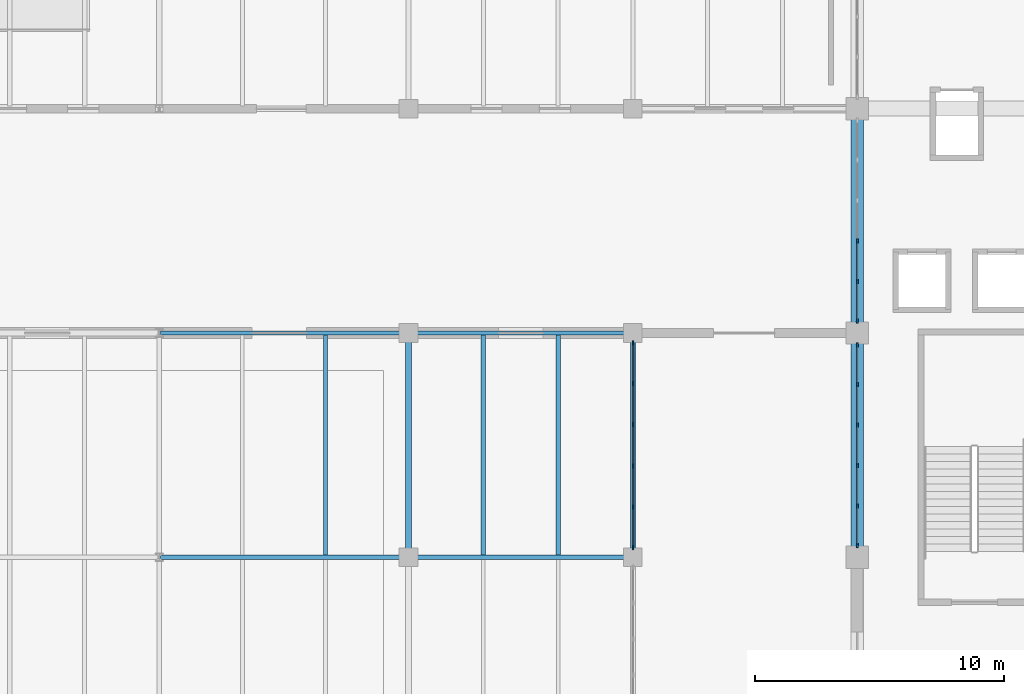
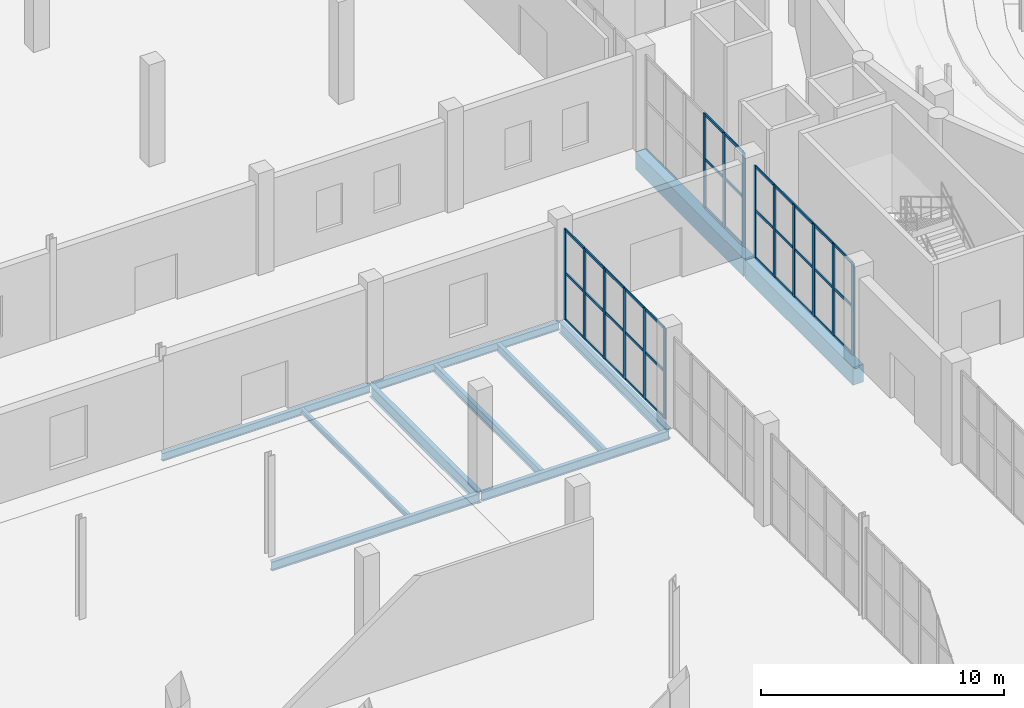
# One storey, part 36 of 103: 51 members, 11 beams, 3 elements without a shape of their own.
"""IFC4 building model written with IfcOpenShell, lengths in metres."""

import ifcopenshell
import ifcopenshell.guid

model = None  # the IFC model being written
_history = None  # IfcOwnerHistory: only IFC2X3 demands one
_inside = {}  # id of a spatial element -> (the spatial element, [elements in it])
_under = {}  # id of a project, library or spatial element -> (it, [spatial elements below it])
_declared = {}  # id of a project -> (the project, [libraries it declares])
_typed = {}  # id of a type object -> (the type object, [elements of that type])
_made_of = {}  # id of a material, layer set ... -> (it, [elements and type objects made of it])


def new_model(schema):
    """Start an empty IFC model of exactly this schema.

    Asked for "IFC4X3", IfcOpenShell would pick the latest addendum, in which some entities
    have other attributes; the version numbers below select the first issue.
    IFC2X3 requires an IfcOwnerHistory on every rooted entity: one is made here for all.
    """
    global model, _history
    if schema == "IFC4X3":
        model = ifcopenshell.file(schema_version=(4, 3, 0, 0))
    else:
        model = ifcopenshell.file(schema=schema)
    _inside.clear()
    _under.clear()
    _declared.clear()
    _typed.clear()
    _made_of.clear()
    _history = None
    if model.schema == "IFC2X3":
        org = make("IfcOrganization", Name="unknown")
        user = make(
            "IfcPersonAndOrganization",
            ThePerson=make("IfcPerson", FamilyName="unknown"),
            TheOrganization=org,
        )
        app = make(
            "IfcApplication",
            ApplicationDeveloper=org,
            Version="unknown",
            ApplicationFullName="unknown",
            ApplicationIdentifier="unknown",
        )
        _history = make(
            "IfcOwnerHistory",
            OwningUser=user,
            OwningApplication=app,
            ChangeAction="ADDED",
            CreationDate=0,
        )
    return model


def make(cls, **values):
    """One entity of the class cls with the attributes given. An attribute that is None is left unset."""
    return model.create_entity(
        cls, **{name: value for name, value in values.items() if value is not None}
    )


def rooted(cls, **values):
    """An entity with a GlobalId (a new one), such as an element, a storey or a relation."""
    return make(cls, GlobalId=ifcopenshell.guid.new(), OwnerHistory=_history, **values)


def si_unit(unit_type, name, prefix=None):
    """IfcSIUnit, for example si_unit("LENGTHUNIT", "METRE", prefix="MILLI")."""
    return make("IfcSIUnit", UnitType=unit_type, Prefix=prefix, Name=name)


def assignment(units):
    """IfcUnitAssignment: the units of a project."""
    return None if units is None else make("IfcUnitAssignment", Units=units)


def point(xyz):
    """IfcCartesianPoint."""
    return None if xyz is None else make("IfcCartesianPoint", Coordinates=xyz)


def direction(xyz):
    """IfcDirection."""
    return None if xyz is None else make("IfcDirection", DirectionRatios=xyz)


def frame(location, z_axis=None, x_axis=None):
    """IfcAxis2Placement3D, a coordinate frame: its origin and axes. An axis left out is left unset."""
    return make(
        "IfcAxis2Placement3D",
        Location=point(location),
        Axis=direction(z_axis),
        RefDirection=direction(x_axis),
    )


def frame_2d(location, x_axis=None):
    """IfcAxis2Placement2D, a coordinate frame in the plane: its origin and x axis."""
    return make(
        "IfcAxis2Placement2D", Location=point(location), RefDirection=direction(x_axis)
    )


def origin():
    """The frame at (0, 0, 0) with its axes left unset."""
    return frame((0.0, 0.0, 0.0))


def origin_2d():
    """The frame at (0, 0) in the plane with its x axis left unset."""
    return frame_2d((0.0, 0.0))


def place(relative_to, where):
    """IfcLocalPlacement: puts the frame where relative to a parent placement (None: the world)."""
    return make(
        "IfcLocalPlacement", PlacementRelTo=relative_to, RelativePlacement=where
    )


def context(
    kind, dimensions, precision=None, world=None, true_north=None, identifier=None
):
    """IfcGeometricRepresentationContext, for example the 3D "Model" context."""
    return make(
        "IfcGeometricRepresentationContext",
        ContextIdentifier=identifier,
        ContextType=kind,
        CoordinateSpaceDimension=dimensions,
        Precision=precision,
        WorldCoordinateSystem=world,
        TrueNorth=true_north,
    )


def subcontext(parent, identifier, kind, view, scale=None):
    """IfcGeometricRepresentationSubContext, for example "Body" below "Model"."""
    return make(
        "IfcGeometricRepresentationSubContext",
        ContextIdentifier=identifier,
        ContextType=kind,
        ParentContext=parent,
        TargetScale=scale,
        TargetView=view,
    )


def project(units=None, contexts=None):
    """IfcProject with its units and contexts."""
    return rooted(
        "IfcProject",
        Name="project",
        RepresentationContexts=contexts,
        UnitsInContext=assignment(units),
    )


def spatial(cls, under=None, at=None, **own):
    """A site, building, storey or space (cls), placed at a placement, below another one or the project."""
    s = rooted(cls, ObjectPlacement=at, **own)
    if under is not None:
        _under.setdefault(under.id(), (under, []))[1].append(s)
    return s


def profile(cls, at=None, kind="AREA", **sizes):
    """A parametric profile (cls). Its sizes go by their IFC names, for example OverallWidth=200.0."""
    return make(cls, ProfileType=kind, Position=at, **sizes)


def rectangle(**sizes):
    """IfcRectangleProfileDef."""
    return profile("IfcRectangleProfileDef", **sizes)


def i_section(**sizes):
    """IfcIShapeProfileDef."""
    return profile("IfcIShapeProfileDef", **sizes)


def extrude(swept, where, along, depth):
    """IfcExtrudedAreaSolid: the profile swept, set in the frame where, extruded along a direction by depth."""
    return make(
        "IfcExtrudedAreaSolid",
        SweptArea=swept,
        Position=where,
        ExtrudedDirection=direction(along),
        Depth=depth,
    )


def shape(context_of_items, identifier, shape_type, items):
    """IfcShapeRepresentation: the items that make up one representation, for example the "Body"."""
    return make(
        "IfcShapeRepresentation",
        ContextOfItems=context_of_items,
        RepresentationIdentifier=identifier,
        RepresentationType=shape_type,
        Items=items,
    )


def material(Name=None, Category=None):
    """IfcMaterial."""
    return make("IfcMaterial", Name=Name, Category=Category)


def layer(
    of_material, thickness, ventilated=None, Name=None, Category=None, Priority=None
):
    """IfcMaterialLayer: one layer of a wall or slab, of a material (None: an air gap)."""
    return make(
        "IfcMaterialLayer",
        Material=of_material,
        LayerThickness=thickness,
        IsVentilated=ventilated,
        Name=Name,
        Category=Category,
        Priority=Priority,
    )


def layer_set(layers, Name=None):
    """IfcMaterialLayerSet."""
    return make("IfcMaterialLayerSet", MaterialLayers=layers, LayerSetName=Name)


def material_profile(
    of_material, cross_section, Name=None, Category=None, Priority=None
):
    """IfcMaterialProfile: a cross section and its material."""
    return make(
        "IfcMaterialProfile",
        Name=Name,
        Material=of_material,
        Profile=cross_section,
        Priority=Priority,
        Category=Category,
    )


def profile_set(profiles, Name=None, composite=None):
    """IfcMaterialProfileSet."""
    return make(
        "IfcMaterialProfileSet",
        Name=Name,
        MaterialProfiles=profiles,
        CompositeProfile=composite,
    )


def made_of(thing, what):
    """Note that an element or type object is made of a material, layer set ...; save() writes the relation."""
    if what is not None:
        _made_of.setdefault(what.id(), (what, []))[1].append(thing)
    return thing


def type_object(cls, material=None, **own):
    """A type object (cls), such as IfcWallType, which elements share."""
    return made_of(rooted(cls, **own), material)


def element(
    cls,
    number,
    at=None,
    inside=None,
    cuts=None,
    type_object=None,
    material=None,
    context=None,
    identifier="Body",
    shape_type=None,
    held_by="IfcProductDefinitionShape",
    body=None,
    shapes=None,
    **own,
):
    """One element of the class cls, such as IfcWall. Its Tag is "e" and its number.

    at: its placement. inside: the storey or other place that contains it. cuts: it is an
    opening in that element (IfcRelVoidsElement). A single representation is given by context,
    identifier, shape_type and body (its items); several are given by shapes. held_by: the class
    of the entity that holds the representations. save() writes the other relations.
    """
    e = rooted(cls, Tag="e%d" % number, ObjectPlacement=at, **own)
    if body is not None:
        shapes = [shape(context, identifier, shape_type, body)]
    if shapes is not None:
        e.Representation = make(held_by, Representations=shapes)
    if inside is not None:
        _inside.setdefault(inside.id(), (inside, []))[1].append(e)
    if cuts is not None:
        rooted(
            "IfcRelVoidsElement", RelatingBuildingElement=cuts, RelatedOpeningElement=e
        )
    if type_object is not None:
        _typed.setdefault(type_object.id(), (type_object, []))[1].append(e)
    return made_of(e, material)


def aggregate(whole, parts):
    """IfcRelAggregates: a whole, such as a stair, and the parts it consists of."""
    return rooted("IfcRelAggregates", RelatingObject=whole, RelatedObjects=parts)


def save(model, path):
    """Write the relations noted so far, then the file.

    IfcRelAggregates (storeys below a building ...), IfcRelContainedInSpatialStructure (elements
    in a storey), IfcRelDefinesByType, IfcRelAssociatesMaterial and IfcRelDeclares: one each for
    every whole, place, type object, material and project.
    """
    for whole, parts in _under.values():
        aggregate(whole, parts)
    for where, things in _inside.values():
        rooted(
            "IfcRelContainedInSpatialStructure",
            RelatedElements=things,
            RelatingStructure=where,
        )
    for kind, things in _typed.values():
        rooted("IfcRelDefinesByType", RelatedObjects=things, RelatingType=kind)
    for what, things in _made_of.values():
        rooted("IfcRelAssociatesMaterial", RelatedObjects=things, RelatingMaterial=what)
    for by, libraries in _declared.values():
        rooted("IfcRelDeclares", RelatingContext=by, RelatedDefinitions=libraries)
    model.write(path)


model = new_model("IFC4")

# Units and contexts
model_context = context("Model", 3, precision=1e-05, world=origin(), true_north=direction((0.0, 1.0)))
body_context = subcontext(model_context, "Body", "Model", "MODEL_VIEW")
ifc_project = project(units=[si_unit("LENGTHUNIT", "METRE"), si_unit("AREAUNIT", "SQUARE_METRE"), si_unit("VOLUMEUNIT", "CUBIC_METRE"), si_unit("PLANEANGLEUNIT", "RADIAN"), si_unit("MASSUNIT", "GRAM", prefix="KILO")], contexts=[model_context])

# Site, building, storey
site_placement = place(None, origin())
site = spatial("IfcSite", under=ifc_project, at=site_placement, CompositionType="ELEMENT")
building_placement = place(site_placement, origin())
building = spatial("IfcBuilding", under=site, at=building_placement, Name="Marnock Terrace Opera House", CompositionType="ELEMENT")
storey_placement = place(building_placement, origin())
storey = spatial("IfcBuildingStorey", under=building, at=storey_placement, Name="L00", CompositionType="ELEMENT", Elevation=0.0)

# Beams
ifc_material_1 = material(Name="Concrete N40 (f'c = 40 MPa)", Category="concrete")
ifc_material_profile_1 = material_profile(ifc_material_1, rectangle(XDim=0.5, YDim=0.89990234375, at=origin_2d()))
ifc_profile_set_1 = profile_set([ifc_material_profile_1], Name="Concrete N40 (f'c = 40 MPa)")
beam_type_1 = type_object("IfcBeamType", Name="BM-B1-RC500", PredefinedType="BEAM", material=ifc_profile_set_1)
for number, where, z_axis, x_axis, name in (
    (1, (55.0, 48.050048828125, -0.75), (0.0, 1.0, 0.0), (-1.0, 0.0, 0.0), "L00 girder (X=55.0, 48.0..57.0)"),
    (2, (55.0, 57.050048828125, -0.75), (0.0, 1.0, 0.0), (-1.0, 0.0, 0.0), "L00 girder (X=55.0, 57.0..66.0)"),
):
    element("IfcBeam", number, at=place(storey_placement, frame(where, z_axis=z_axis, x_axis=x_axis)), inside=storey, type_object=beam_type_1, Name=name, PredefinedType="BEAM", context=body_context, shape_type="SweptSolid", body=[
        extrude(rectangle(XDim=0.5, YDim=0.89990234375, at=origin_2d()), origin(), (0.0, 0.0, 1.0), 8.89990234375),
    ])
ifc_material_2 = material(Name="Steel Grade 350 (AS/NZS 3679.1)", Category="steel")
ifc_material_profile_2 = material_profile(ifc_material_2, i_section(OverallWidth=0.177978515625, OverallDepth=0.402587890625, WebThickness=0.007568359375, FlangeThickness=0.010986328125, FilletRadius=0.011474609375, at=origin_2d()))
ifc_profile_set_2 = profile_set([ifc_material_profile_2], Name="Steel Grade 350 (AS/NZS 3679.1)")
beam_type_2 = type_object("IfcBeamType", Name="BM-GIRD-410", PredefinedType="BEAM", material=ifc_profile_set_2)
beam_1_placement = place(storey_placement, frame((27.050048828125, 57.0, -0.501220703125), z_axis=(1.0, 0.0, 0.0), x_axis=(0.0, 1.0, 0.0)))
element("IfcBeam", 3, at=beam_1_placement, inside=storey, type_object=beam_type_2, Name="L00 girder (27.0..37.0, Y=57.0)", PredefinedType="BEAM", context=body_context, shape_type="SweptSolid", body=[
    extrude(i_section(OverallWidth=0.177978515625, OverallDepth=0.402587890625, WebThickness=0.007568359375, FlangeThickness=0.010986328125, FilletRadius=0.011474609375, at=origin_2d()), origin(), (0.0, 0.0, 1.0), 9.89990234375),
])
beam_2_placement = place(storey_placement, frame((37.050048828125, 57.0, -0.501220703125), z_axis=(1.0, 0.0, 0.0), x_axis=(0.0, 1.0, 0.0)))
element("IfcBeam", 4, at=beam_2_placement, inside=storey, type_object=beam_type_2, Name="L00 girder (37.0..46.0, Y=57.0)", PredefinedType="BEAM", context=body_context, shape_type="SweptSolid", body=[
    extrude(i_section(OverallWidth=0.177978515625, OverallDepth=0.402587890625, WebThickness=0.007568359375, FlangeThickness=0.010986328125, FilletRadius=0.011474609375, at=origin_2d()), origin(), (0.0, 0.0, 1.0), 8.89990234375),
])
ifc_material_profile_3 = material_profile(ifc_material_2, i_section(OverallWidth=0.19091796875, OverallDepth=0.46044921875, WebThickness=0.010009765625, FlangeThickness=0.01611328125, FilletRadius=0.011474609375, at=origin_2d()))
ifc_profile_set_3 = profile_set([ifc_material_profile_3], Name="Steel Grade 350 (AS/NZS 3679.1)")
beam_type_3 = type_object("IfcBeamType", Name="BM-GIRD-460A", PredefinedType="BEAM", material=ifc_profile_set_3)
beam_3_placement = place(storey_placement, frame((27.050048828125, 48.0, -0.5302734375), z_axis=(1.0, 0.0, 0.0), x_axis=(0.0, 1.0, 0.0)))
element("IfcBeam", 5, at=beam_3_placement, inside=storey, type_object=beam_type_3, Name="L00 girder (27.0..37.0, Y=48.0)", PredefinedType="BEAM", context=body_context, shape_type="SweptSolid", body=[
    extrude(i_section(OverallWidth=0.19091796875, OverallDepth=0.46044921875, WebThickness=0.010009765625, FlangeThickness=0.01611328125, FilletRadius=0.011474609375, at=origin_2d()), origin(), (0.0, 0.0, 1.0), 9.89990234375),
])
beam_4_placement = place(storey_placement, frame((37.050048828125, 48.0, -0.5302734375), z_axis=(1.0, 0.0, 0.0), x_axis=(0.0, 1.0, 0.0)))
element("IfcBeam", 6, at=beam_4_placement, inside=storey, type_object=beam_type_3, Name="L00 girder (37.0..46.0, Y=48.0)", PredefinedType="BEAM", context=body_context, shape_type="SweptSolid", body=[
    extrude(i_section(OverallWidth=0.19091796875, OverallDepth=0.46044921875, WebThickness=0.010009765625, FlangeThickness=0.01611328125, FilletRadius=0.011474609375, at=origin_2d()), origin(), (0.0, 0.0, 1.0), 8.89990234375),
])
ifc_material_profile_4 = material_profile(ifc_material_2, i_section(OverallWidth=0.208984375, OverallDepth=0.528076171875, WebThickness=0.009521484375, FlangeThickness=0.01318359375, FilletRadius=0.013916015625, at=origin_2d()))
ifc_profile_set_4 = profile_set([ifc_material_profile_4], Name="Steel Grade 350 (AS/NZS 3679.1)")
beam_type_4 = type_object("IfcBeamType", Name="BM-GIRD-530B", PredefinedType="BEAM", material=ifc_profile_set_4)
beam_5_placement = place(storey_placement, frame((46.0, 48.050048828125, -0.56396484375), z_axis=(0.0, 1.0, 0.0), x_axis=(-1.0, 0.0, 0.0)))
element("IfcBeam", 7, at=beam_5_placement, inside=storey, type_object=beam_type_4, Name="L00 girder (X=46.0, 48.0..57.0)", PredefinedType="BEAM", context=body_context, shape_type="SweptSolid", body=[
    extrude(i_section(OverallWidth=0.208984375, OverallDepth=0.528076171875, WebThickness=0.009521484375, FlangeThickness=0.01318359375, FilletRadius=0.013916015625, at=origin_2d()), origin(), (0.0, 0.0, 1.0), 8.89990234375),
])
ifc_material_profile_5 = material_profile(ifc_material_2, i_section(OverallWidth=0.22802734375, OverallDepth=0.60205078125, WebThickness=0.010498046875, FlangeThickness=0.014892578125, FilletRadius=0.013916015625, at=origin_2d()))
ifc_profile_set_5 = profile_set([ifc_material_profile_5], Name="Steel Grade 350 (AS/NZS 3679.1)")
beam_type_5 = type_object("IfcBeamType", Name="BM-GIRD-610C", PredefinedType="BEAM", material=ifc_profile_set_5)
beam_6_placement = place(storey_placement, frame((37.0, 48.050048828125, -0.60107421875), z_axis=(0.0, 1.0, 0.0), x_axis=(-1.0, 0.0, 0.0)))
element("IfcBeam", 8, at=beam_6_placement, inside=storey, type_object=beam_type_5, Name="L00 girder (X=37.0, 48.0..57.0)", PredefinedType="BEAM", context=body_context, shape_type="SweptSolid", body=[
    extrude(i_section(OverallWidth=0.22802734375, OverallDepth=0.60205078125, WebThickness=0.010498046875, FlangeThickness=0.014892578125, FilletRadius=0.013916015625, at=origin_2d()), origin(), (0.0, 0.0, 1.0), 8.89990234375),
])
ifc_material_profile_6 = material_profile(ifc_material_2, i_section(OverallWidth=0.14599609375, OverallDepth=0.256103515625, WebThickness=0.00634765625, FlangeThickness=0.010986328125, FilletRadius=0.0087890625, at=origin_2d()))
ifc_profile_set_6 = profile_set([ifc_material_profile_6], Name="Steel Grade 350 (AS/NZS 3679.1)")
beam_type_6 = type_object("IfcBeamType", Name="BM-JOIST-250", PredefinedType="JOIST", material=ifc_profile_set_6)
beam_7_placement = place(storey_placement, frame((33.666748046875, 48.090576171875, -0.427978515625), z_axis=(0.0, 1.0, 0.0), x_axis=(-1.0, 0.0, 0.0)))
element("IfcBeam", 9, at=beam_7_placement, inside=storey, type_object=beam_type_6, Name="L00 secondary joist 3.6.2", PredefinedType="JOIST", context=body_context, shape_type="SweptSolid", body=[
    extrude(i_section(OverallWidth=0.14599609375, OverallDepth=0.256103515625, WebThickness=0.00634765625, FlangeThickness=0.010986328125, FilletRadius=0.0087890625, at=origin_2d()), origin(), (0.0, 0.0, 1.0), 8.825439453125),
])
ifc_material_profile_7 = material_profile(ifc_material_2, i_section(OverallWidth=0.177978515625, OverallDepth=0.406494140625, WebThickness=0.0078125, FlangeThickness=0.0126953125, FilletRadius=0.011474609375, at=origin_2d()))
ifc_profile_set_7 = profile_set([ifc_material_profile_7], Name="Steel Grade 350 (AS/NZS 3679.1)")
beam_type_7 = type_object("IfcBeamType", Name="BM-JOIST-410", PredefinedType="JOIST", material=ifc_profile_set_7)
for number, where, z_axis, x_axis, name in (
    (10, (40.0, 48.090576171875, -0.503173828125), (0.0, 1.0, 0.0), (-1.0, 0.0, 0.0), "L00 secondary joist 4.6.1"),
    (11, (43.0, 48.090576171875, -0.503173828125), (0.0, 1.0, 0.0), (-1.0, 0.0, 0.0), "L00 secondary joist 4.6.2"),
):
    element("IfcBeam", number, at=place(storey_placement, frame(where, z_axis=z_axis, x_axis=x_axis)), inside=storey, type_object=beam_type_7, Name=name, PredefinedType="JOIST", context=body_context, shape_type="SweptSolid", body=[
        extrude(i_section(OverallWidth=0.177978515625, OverallDepth=0.406494140625, WebThickness=0.0078125, FlangeThickness=0.0126953125, FilletRadius=0.011474609375, at=origin_2d()), origin(), (0.0, 0.0, 1.0), 8.825439453125),
    ])

# Curtain wall, members
ifc_material_3 = material(Name="Anodised architectural bronze aluminium framing", Category="aluminium")
ifc_layer_1 = layer(ifc_material_3, 0.159912109375)
ifc_layer_set_1 = layer_set([ifc_layer_1], Name="Anodised architectural bronze aluminium framing")
curtain_wall_type_1 = type_object("IfcCurtainWallType", Name="CW-FOYER-90x51", PredefinedType="NOTDEFINED", material=ifc_layer_set_1)
curtain_wall_1_placement = place(storey_placement, origin())
curtain_wall_1 = element("IfcCurtainWall", 12, at=curtain_wall_1_placement, inside=storey, type_object=curtain_wall_type_1, Name="L00 glazed Beaux-Arts colonnade curtain wall CW-V1W-L00-06", PredefinedType="NOTDEFINED")
ifc_material_profile_8 = material_profile(ifc_material_3, rectangle(XDim=0.06494140625, YDim=0.179931640625, at=origin_2d()))
ifc_profile_set_8 = profile_set([ifc_material_profile_8], Name="Anodised architectural bronze aluminium framing")
member_type_1 = type_object("IfcMemberType", Name="CWM-65x180", PredefinedType="MULLION", material=ifc_profile_set_8)
member_1_placement = place(storey_placement, frame((55.0, 48.47607421875, 0.0), z_axis=(0.0, 0.0, 1.0), x_axis=(-1.0, 0.0, 0.0)))
member_1 = element("IfcMember", 13, at=member_1_placement, type_object=member_type_1, Name="CW-31 mullion 1", PredefinedType="MULLION", context=body_context, shape_type="SweptSolid", body=[
    extrude(rectangle(XDim=0.06494140625, YDim=0.179931640625, at=origin_2d()), origin(), (0.0, 0.0, 1.0), 4.632568359375),
])
member_2_placement = place(storey_placement, frame((55.0, 50.067626953125, 0.0), z_axis=(0.0, 0.0, 1.0), x_axis=(-1.0, 0.0, 0.0)))
member_2 = element("IfcMember", 14, at=member_2_placement, type_object=member_type_1, Name="CW-31 mullion 2", PredefinedType="MULLION", context=body_context, shape_type="SweptSolid", body=[
    extrude(rectangle(XDim=0.06494140625, YDim=0.179931640625, at=origin_2d()), origin(), (0.0, 0.0, 1.0), 4.632568359375),
])
member_3_placement = place(storey_placement, frame((55.0, 51.689208984375, 0.0), z_axis=(0.0, 0.0, 1.0), x_axis=(-1.0, 0.0, 0.0)))
member_3 = element("IfcMember", 15, at=member_3_placement, type_object=member_type_1, Name="CW-31 mullion 3", PredefinedType="MULLION", context=body_context, shape_type="SweptSolid", body=[
    extrude(rectangle(XDim=0.06494140625, YDim=0.179931640625, at=origin_2d()), origin(), (0.0, 0.0, 1.0), 4.632568359375),
])
member_4_placement = place(storey_placement, frame((55.0, 53.310791015625, 0.0), z_axis=(0.0, 0.0, 1.0), x_axis=(-1.0, 0.0, 0.0)))
member_4 = element("IfcMember", 16, at=member_4_placement, type_object=member_type_1, Name="CW-31 mullion 4", PredefinedType="MULLION", context=body_context, shape_type="SweptSolid", body=[
    extrude(rectangle(XDim=0.06494140625, YDim=0.179931640625, at=origin_2d()), origin(), (0.0, 0.0, 1.0), 4.632568359375),
])
member_5_placement = place(storey_placement, frame((55.0, 54.932373046875, 0.0), z_axis=(0.0, 0.0, 1.0), x_axis=(-1.0, 0.0, 0.0)))
member_5 = element("IfcMember", 17, at=member_5_placement, type_object=member_type_1, Name="CW-31 mullion 5", PredefinedType="MULLION", context=body_context, shape_type="SweptSolid", body=[
    extrude(rectangle(XDim=0.06494140625, YDim=0.179931640625, at=origin_2d()), origin(), (0.0, 0.0, 1.0), 4.632568359375),
])
member_6_placement = place(storey_placement, frame((55.0, 56.52392578125, 0.0), z_axis=(0.0, 0.0, 1.0), x_axis=(-1.0, 0.0, 0.0)))
member_6 = element("IfcMember", 18, at=member_6_placement, type_object=member_type_1, Name="CW-31 mullion 6", PredefinedType="MULLION", context=body_context, shape_type="SweptSolid", body=[
    extrude(rectangle(XDim=0.06494140625, YDim=0.179931640625, at=origin_2d()), origin(), (0.0, 0.0, 1.0), 4.632568359375),
])

curtain_wall_2_placement = place(storey_placement, origin())
curtain_wall_2 = element("IfcCurtainWall", 19, at=curtain_wall_2_placement, inside=storey, type_object=curtain_wall_type_1, Name="L00 glazed Beaux-Arts colonnade curtain wall CW-V1W-L00-07", PredefinedType="NOTDEFINED")
member_7_placement = place(storey_placement, frame((55.0, 57.47607421875, 0.0), z_axis=(0.0, 0.0, 1.0), x_axis=(-1.0, 0.0, 0.0)))
member_7 = element("IfcMember", 20, at=member_7_placement, type_object=member_type_1, Name="CW-31 mullion 1", PredefinedType="MULLION", context=body_context, shape_type="SweptSolid", body=[
    extrude(rectangle(XDim=0.06494140625, YDim=0.179931640625, at=origin_2d()), origin(), (0.0, 0.0, 1.0), 4.734375),
])
member_8_placement = place(storey_placement, frame((55.0, 59.067626953125, 0.0), z_axis=(0.0, 0.0, 1.0), x_axis=(-1.0, 0.0, 0.0)))
member_8 = element("IfcMember", 21, at=member_8_placement, type_object=member_type_1, Name="CW-31 mullion 2", PredefinedType="MULLION", context=body_context, shape_type="SweptSolid", body=[
    extrude(rectangle(XDim=0.06494140625, YDim=0.179931640625, at=origin_2d()), origin(), (0.0, 0.0, 1.0), 4.734375),
])
member_9_placement = place(storey_placement, frame((55.0, 60.689208984375, 0.0), z_axis=(0.0, 0.0, 1.0), x_axis=(-1.0, 0.0, 0.0)))
member_9 = element("IfcMember", 22, at=member_9_placement, type_object=member_type_1, Name="CW-31 mullion 3", PredefinedType="MULLION", context=body_context, shape_type="SweptSolid", body=[
    extrude(rectangle(XDim=0.06494140625, YDim=0.179931640625, at=origin_2d()), origin(), (0.0, 0.0, 1.0), 4.734375),
])

ifc_layer_2 = layer(ifc_material_3, 0.159912109375)
ifc_layer_set_2 = layer_set([ifc_layer_2], Name="Anodised architectural bronze aluminium framing")
curtain_wall_type_2 = type_object("IfcCurtainWallType", Name="CW-COURT-80x51", PredefinedType="NOTDEFINED", material=ifc_layer_set_2)
curtain_wall_3_placement = place(storey_placement, origin())
curtain_wall_3 = element("IfcCurtainWall", 23, at=curtain_wall_3_placement, inside=storey, type_object=curtain_wall_type_2, Name="L00 glazed Beaux-Arts colonnade curtain wall CW-V3E-L00-06", PredefinedType="NOTDEFINED")
member_10_placement = place(storey_placement, frame((46.0, 48.40087890625, 0.0), z_axis=(0.0, 0.0, 1.0), x_axis=(-1.0, 0.0, 0.0)))
member_10 = element("IfcMember", 24, at=member_10_placement, type_object=member_type_1, Name="CW-114 mullion 1", PredefinedType="MULLION", context=body_context, shape_type="SweptSolid", body=[
    extrude(rectangle(XDim=0.06494140625, YDim=0.179931640625, at=origin_2d()), origin(), (0.0, 0.0, 1.0), 4.56201171875),
])
member_11_placement = place(storey_placement, frame((46.0, 50.022705078125, 0.0), z_axis=(0.0, 0.0, 1.0), x_axis=(-1.0, 0.0, 0.0)))
member_11 = element("IfcMember", 25, at=member_11_placement, type_object=member_type_1, Name="CW-114 mullion 2", PredefinedType="MULLION", context=body_context, shape_type="SweptSolid", body=[
    extrude(rectangle(XDim=0.06494140625, YDim=0.179931640625, at=origin_2d()), origin(), (0.0, 0.0, 1.0), 4.56201171875),
])
member_12_placement = place(storey_placement, frame((46.0, 51.67431640625, 0.0), z_axis=(0.0, 0.0, 1.0), x_axis=(-1.0, 0.0, 0.0)))
member_12 = element("IfcMember", 26, at=member_12_placement, type_object=member_type_1, Name="CW-114 mullion 3", PredefinedType="MULLION", context=body_context, shape_type="SweptSolid", body=[
    extrude(rectangle(XDim=0.06494140625, YDim=0.179931640625, at=origin_2d()), origin(), (0.0, 0.0, 1.0), 4.56201171875),
])
member_13_placement = place(storey_placement, frame((46.0, 53.32568359375, 0.0), z_axis=(0.0, 0.0, 1.0), x_axis=(-1.0, 0.0, 0.0)))
member_13 = element("IfcMember", 27, at=member_13_placement, type_object=member_type_1, Name="CW-114 mullion 4", PredefinedType="MULLION", context=body_context, shape_type="SweptSolid", body=[
    extrude(rectangle(XDim=0.06494140625, YDim=0.179931640625, at=origin_2d()), origin(), (0.0, 0.0, 1.0), 4.56201171875),
])
member_14_placement = place(storey_placement, frame((46.0, 54.977294921875, 0.0), z_axis=(0.0, 0.0, 1.0), x_axis=(-1.0, 0.0, 0.0)))
member_14 = element("IfcMember", 28, at=member_14_placement, type_object=member_type_1, Name="CW-114 mullion 5", PredefinedType="MULLION", context=body_context, shape_type="SweptSolid", body=[
    extrude(rectangle(XDim=0.06494140625, YDim=0.179931640625, at=origin_2d()), origin(), (0.0, 0.0, 1.0), 4.56201171875),
])
member_15_placement = place(storey_placement, frame((46.0, 56.59912109375, 0.0), z_axis=(0.0, 0.0, 1.0), x_axis=(-1.0, 0.0, 0.0)))
member_15 = element("IfcMember", 29, at=member_15_placement, type_object=member_type_1, Name="CW-114 mullion 6", PredefinedType="MULLION", context=body_context, shape_type="SweptSolid", body=[
    extrude(rectangle(XDim=0.06494140625, YDim=0.179931640625, at=origin_2d()), origin(), (0.0, 0.0, 1.0), 4.56201171875),
])

# Member
ifc_material_profile_9 = material_profile(ifc_material_3, rectangle(XDim=0.06005859375, YDim=0.1298828125, at=origin_2d()))
ifc_profile_set_9 = profile_set([ifc_material_profile_9], Name="Anodised architectural bronze aluminium framing")
member_type_2 = type_object("IfcMemberType", Name="CWT-60x130", PredefinedType="USERDEFINED", material=ifc_profile_set_9)
member_16_placement = place(storey_placement, frame((55.0, 48.506103515625, 0.030029296875), z_axis=(0.0, 1.0, 0.0), x_axis=(-1.0, 0.0, 0.0)))
member_16 = element("IfcMember", 30, at=member_16_placement, type_object=member_type_2, Name="CW-31 transom 1.1", ObjectType="TRANSOM", PredefinedType="USERDEFINED", context=body_context, shape_type="SweptSolid", body=[
    extrude(rectangle(XDim=0.06005859375, YDim=0.1298828125, at=origin_2d()), origin(), (0.0, 0.0, 1.0), 1.531494140625),
])

member_17_placement = place(storey_placement, frame((55.0, 48.506103515625, 2.408935546875), z_axis=(0.0, 1.0, 0.0), x_axis=(-1.0, 0.0, 0.0)))
member_17 = element("IfcMember", 31, at=member_17_placement, type_object=member_type_2, Name="CW-31 transom 1.2", ObjectType="TRANSOM", PredefinedType="USERDEFINED", context=body_context, shape_type="SweptSolid", body=[
    extrude(rectangle(XDim=0.06005859375, YDim=0.1298828125, at=origin_2d()), origin(), (0.0, 0.0, 1.0), 1.531494140625),
])

member_18_placement = place(storey_placement, frame((55.0, 48.506103515625, 4.6025390625), z_axis=(0.0, 1.0, 0.0), x_axis=(-1.0, 0.0, 0.0)))
member_18 = element("IfcMember", 32, at=member_18_placement, type_object=member_type_2, Name="CW-31 transom 1.3", ObjectType="TRANSOM", PredefinedType="USERDEFINED", context=body_context, shape_type="SweptSolid", body=[
    extrude(rectangle(XDim=0.06005859375, YDim=0.1298828125, at=origin_2d()), origin(), (0.0, 0.0, 1.0), 1.531494140625),
])

member_19_placement = place(storey_placement, frame((55.0, 50.09765625, 0.030029296875), z_axis=(0.0, 1.0, 0.0), x_axis=(-1.0, 0.0, 0.0)))
member_19 = element("IfcMember", 33, at=member_19_placement, type_object=member_type_2, Name="CW-31 transom 2.1", ObjectType="TRANSOM", PredefinedType="USERDEFINED", context=body_context, shape_type="SweptSolid", body=[
    extrude(rectangle(XDim=0.06005859375, YDim=0.1298828125, at=origin_2d()), origin(), (0.0, 0.0, 1.0), 1.5615234375),
])

member_20_placement = place(storey_placement, frame((55.0, 50.09765625, 2.408935546875), z_axis=(0.0, 1.0, 0.0), x_axis=(-1.0, 0.0, 0.0)))
member_20 = element("IfcMember", 34, at=member_20_placement, type_object=member_type_2, Name="CW-31 transom 2.2", ObjectType="TRANSOM", PredefinedType="USERDEFINED", context=body_context, shape_type="SweptSolid", body=[
    extrude(rectangle(XDim=0.06005859375, YDim=0.1298828125, at=origin_2d()), origin(), (0.0, 0.0, 1.0), 1.5615234375),
])

member_21_placement = place(storey_placement, frame((55.0, 50.09765625, 4.6025390625), z_axis=(0.0, 1.0, 0.0), x_axis=(-1.0, 0.0, 0.0)))
member_21 = element("IfcMember", 35, at=member_21_placement, type_object=member_type_2, Name="CW-31 transom 2.3", ObjectType="TRANSOM", PredefinedType="USERDEFINED", context=body_context, shape_type="SweptSolid", body=[
    extrude(rectangle(XDim=0.06005859375, YDim=0.1298828125, at=origin_2d()), origin(), (0.0, 0.0, 1.0), 1.5615234375),
])

member_22_placement = place(storey_placement, frame((55.0, 51.71923828125, 0.030029296875), z_axis=(0.0, 1.0, 0.0), x_axis=(-1.0, 0.0, 0.0)))
member_22 = element("IfcMember", 36, at=member_22_placement, type_object=member_type_2, Name="CW-31 transom 3.1", ObjectType="TRANSOM", PredefinedType="USERDEFINED", context=body_context, shape_type="SweptSolid", body=[
    extrude(rectangle(XDim=0.06005859375, YDim=0.1298828125, at=origin_2d()), origin(), (0.0, 0.0, 1.0), 1.5615234375),
])

member_23_placement = place(storey_placement, frame((55.0, 51.71923828125, 2.408935546875), z_axis=(0.0, 1.0, 0.0), x_axis=(-1.0, 0.0, 0.0)))
member_23 = element("IfcMember", 37, at=member_23_placement, type_object=member_type_2, Name="CW-31 transom 3.2", ObjectType="TRANSOM", PredefinedType="USERDEFINED", context=body_context, shape_type="SweptSolid", body=[
    extrude(rectangle(XDim=0.06005859375, YDim=0.1298828125, at=origin_2d()), origin(), (0.0, 0.0, 1.0), 1.5615234375),
])

member_24_placement = place(storey_placement, frame((55.0, 51.71923828125, 4.6025390625), z_axis=(0.0, 1.0, 0.0), x_axis=(-1.0, 0.0, 0.0)))
member_24 = element("IfcMember", 38, at=member_24_placement, type_object=member_type_2, Name="CW-31 transom 3.3", ObjectType="TRANSOM", PredefinedType="USERDEFINED", context=body_context, shape_type="SweptSolid", body=[
    extrude(rectangle(XDim=0.06005859375, YDim=0.1298828125, at=origin_2d()), origin(), (0.0, 0.0, 1.0), 1.5615234375),
])

member_25_placement = place(storey_placement, frame((55.0, 53.3408203125, 0.030029296875), z_axis=(0.0, 1.0, 0.0), x_axis=(-1.0, 0.0, 0.0)))
member_25 = element("IfcMember", 39, at=member_25_placement, type_object=member_type_2, Name="CW-31 transom 4.1", ObjectType="TRANSOM", PredefinedType="USERDEFINED", context=body_context, shape_type="SweptSolid", body=[
    extrude(rectangle(XDim=0.06005859375, YDim=0.1298828125, at=origin_2d()), origin(), (0.0, 0.0, 1.0), 1.5615234375),
])

member_26_placement = place(storey_placement, frame((55.0, 53.3408203125, 2.408935546875), z_axis=(0.0, 1.0, 0.0), x_axis=(-1.0, 0.0, 0.0)))
member_26 = element("IfcMember", 40, at=member_26_placement, type_object=member_type_2, Name="CW-31 transom 4.2", ObjectType="TRANSOM", PredefinedType="USERDEFINED", context=body_context, shape_type="SweptSolid", body=[
    extrude(rectangle(XDim=0.06005859375, YDim=0.1298828125, at=origin_2d()), origin(), (0.0, 0.0, 1.0), 1.5615234375),
])

member_27_placement = place(storey_placement, frame((55.0, 53.3408203125, 4.6025390625), z_axis=(0.0, 1.0, 0.0), x_axis=(-1.0, 0.0, 0.0)))
member_27 = element("IfcMember", 41, at=member_27_placement, type_object=member_type_2, Name="CW-31 transom 4.3", ObjectType="TRANSOM", PredefinedType="USERDEFINED", context=body_context, shape_type="SweptSolid", body=[
    extrude(rectangle(XDim=0.06005859375, YDim=0.1298828125, at=origin_2d()), origin(), (0.0, 0.0, 1.0), 1.5615234375),
])

member_28_placement = place(storey_placement, frame((55.0, 54.96240234375, 0.030029296875), z_axis=(0.0, 1.0, 0.0), x_axis=(-1.0, 0.0, 0.0)))
member_28 = element("IfcMember", 42, at=member_28_placement, type_object=member_type_2, Name="CW-31 transom 5.1", ObjectType="TRANSOM", PredefinedType="USERDEFINED", context=body_context, shape_type="SweptSolid", body=[
    extrude(rectangle(XDim=0.06005859375, YDim=0.1298828125, at=origin_2d()), origin(), (0.0, 0.0, 1.0), 1.531494140625),
])

member_29_placement = place(storey_placement, frame((55.0, 54.96240234375, 2.408935546875), z_axis=(0.0, 1.0, 0.0), x_axis=(-1.0, 0.0, 0.0)))
member_29 = element("IfcMember", 43, at=member_29_placement, type_object=member_type_2, Name="CW-31 transom 5.2", ObjectType="TRANSOM", PredefinedType="USERDEFINED", context=body_context, shape_type="SweptSolid", body=[
    extrude(rectangle(XDim=0.06005859375, YDim=0.1298828125, at=origin_2d()), origin(), (0.0, 0.0, 1.0), 1.531494140625),
])

member_30_placement = place(storey_placement, frame((55.0, 54.96240234375, 4.6025390625), z_axis=(0.0, 1.0, 0.0), x_axis=(-1.0, 0.0, 0.0)))
member_30 = element("IfcMember", 44, at=member_30_placement, type_object=member_type_2, Name="CW-31 transom 5.3", ObjectType="TRANSOM", PredefinedType="USERDEFINED", context=body_context, shape_type="SweptSolid", body=[
    extrude(rectangle(XDim=0.06005859375, YDim=0.1298828125, at=origin_2d()), origin(), (0.0, 0.0, 1.0), 1.531494140625),
])

aggregate(curtain_wall_1, [member_1, member_2, member_3, member_4, member_5, member_6, member_16, member_17, member_18, member_19, member_20, member_21, member_22, member_23, member_24, member_25, member_26, member_27, member_28, member_29, member_30])

member_31_placement = place(storey_placement, frame((55.0, 57.506103515625, 0.030029296875), z_axis=(0.0, 1.0, 0.0), x_axis=(-1.0, 0.0, 0.0)))
member_31 = element("IfcMember", 45, at=member_31_placement, type_object=member_type_2, Name="CW-31 transom 1.1", ObjectType="TRANSOM", PredefinedType="USERDEFINED", context=body_context, shape_type="SweptSolid", body=[
    extrude(rectangle(XDim=0.06005859375, YDim=0.1298828125, at=origin_2d()), origin(), (0.0, 0.0, 1.0), 1.531494140625),
])

member_32_placement = place(storey_placement, frame((55.0, 57.506103515625, 2.4619140625), z_axis=(0.0, 1.0, 0.0), x_axis=(-1.0, 0.0, 0.0)))
member_32 = element("IfcMember", 46, at=member_32_placement, type_object=member_type_2, Name="CW-31 transom 1.2", ObjectType="TRANSOM", PredefinedType="USERDEFINED", context=body_context, shape_type="SweptSolid", body=[
    extrude(rectangle(XDim=0.06005859375, YDim=0.1298828125, at=origin_2d()), origin(), (0.0, 0.0, 1.0), 1.531494140625),
])

member_33_placement = place(storey_placement, frame((55.0, 57.506103515625, 4.704345703125), z_axis=(0.0, 1.0, 0.0), x_axis=(-1.0, 0.0, 0.0)))
member_33 = element("IfcMember", 47, at=member_33_placement, type_object=member_type_2, Name="CW-31 transom 1.3", ObjectType="TRANSOM", PredefinedType="USERDEFINED", context=body_context, shape_type="SweptSolid", body=[
    extrude(rectangle(XDim=0.06005859375, YDim=0.1298828125, at=origin_2d()), origin(), (0.0, 0.0, 1.0), 1.531494140625),
])

member_34_placement = place(storey_placement, frame((55.0, 59.09765625, 0.030029296875), z_axis=(0.0, 1.0, 0.0), x_axis=(-1.0, 0.0, 0.0)))
member_34 = element("IfcMember", 48, at=member_34_placement, type_object=member_type_2, Name="CW-31 transom 2.1", ObjectType="TRANSOM", PredefinedType="USERDEFINED", context=body_context, shape_type="SweptSolid", body=[
    extrude(rectangle(XDim=0.06005859375, YDim=0.1298828125, at=origin_2d()), origin(), (0.0, 0.0, 1.0), 1.5615234375),
])

member_35_placement = place(storey_placement, frame((55.0, 59.09765625, 2.4619140625), z_axis=(0.0, 1.0, 0.0), x_axis=(-1.0, 0.0, 0.0)))
member_35 = element("IfcMember", 49, at=member_35_placement, type_object=member_type_2, Name="CW-31 transom 2.2", ObjectType="TRANSOM", PredefinedType="USERDEFINED", context=body_context, shape_type="SweptSolid", body=[
    extrude(rectangle(XDim=0.06005859375, YDim=0.1298828125, at=origin_2d()), origin(), (0.0, 0.0, 1.0), 1.5615234375),
])

member_36_placement = place(storey_placement, frame((55.0, 59.09765625, 4.704345703125), z_axis=(0.0, 1.0, 0.0), x_axis=(-1.0, 0.0, 0.0)))
member_36 = element("IfcMember", 50, at=member_36_placement, type_object=member_type_2, Name="CW-31 transom 2.3", ObjectType="TRANSOM", PredefinedType="USERDEFINED", context=body_context, shape_type="SweptSolid", body=[
    extrude(rectangle(XDim=0.06005859375, YDim=0.1298828125, at=origin_2d()), origin(), (0.0, 0.0, 1.0), 1.5615234375),
])

aggregate(curtain_wall_2, [member_7, member_8, member_9, member_31, member_32, member_33, member_34, member_35, member_36])

member_37_placement = place(storey_placement, frame((46.0, 48.430908203125, 0.030029296875), z_axis=(0.0, 1.0, 0.0), x_axis=(-1.0, 0.0, 0.0)))
member_37 = element("IfcMember", 51, at=member_37_placement, type_object=member_type_2, Name="CW-114 transom 1.1", ObjectType="TRANSOM", PredefinedType="USERDEFINED", context=body_context, shape_type="SweptSolid", body=[
    extrude(rectangle(XDim=0.06005859375, YDim=0.1298828125, at=origin_2d()), origin(), (0.0, 0.0, 1.0), 1.561767578125),
])

member_38_placement = place(storey_placement, frame((46.0, 48.430908203125, 2.372314453125), z_axis=(0.0, 1.0, 0.0), x_axis=(-1.0, 0.0, 0.0)))
member_38 = element("IfcMember", 52, at=member_38_placement, type_object=member_type_2, Name="CW-114 transom 1.2", ObjectType="TRANSOM", PredefinedType="USERDEFINED", context=body_context, shape_type="SweptSolid", body=[
    extrude(rectangle(XDim=0.06005859375, YDim=0.1298828125, at=origin_2d()), origin(), (0.0, 0.0, 1.0), 1.561767578125),
])

member_39_placement = place(storey_placement, frame((46.0, 48.430908203125, 4.531982421875), z_axis=(0.0, 1.0, 0.0), x_axis=(-1.0, 0.0, 0.0)))
member_39 = element("IfcMember", 53, at=member_39_placement, type_object=member_type_2, Name="CW-114 transom 1.3", ObjectType="TRANSOM", PredefinedType="USERDEFINED", context=body_context, shape_type="SweptSolid", body=[
    extrude(rectangle(XDim=0.06005859375, YDim=0.1298828125, at=origin_2d()), origin(), (0.0, 0.0, 1.0), 1.561767578125),
])

member_40_placement = place(storey_placement, frame((46.0, 50.052490234375, 0.030029296875), z_axis=(0.0, 1.0, 0.0), x_axis=(-1.0, 0.0, 0.0)))
member_40 = element("IfcMember", 54, at=member_40_placement, type_object=member_type_2, Name="CW-114 transom 2.1", ObjectType="TRANSOM", PredefinedType="USERDEFINED", context=body_context, shape_type="SweptSolid", body=[
    extrude(rectangle(XDim=0.06005859375, YDim=0.1298828125, at=origin_2d()), origin(), (0.0, 0.0, 1.0), 1.591796875),
])

member_41_placement = place(storey_placement, frame((46.0, 50.052490234375, 2.372314453125), z_axis=(0.0, 1.0, 0.0), x_axis=(-1.0, 0.0, 0.0)))
member_41 = element("IfcMember", 55, at=member_41_placement, type_object=member_type_2, Name="CW-114 transom 2.2", ObjectType="TRANSOM", PredefinedType="USERDEFINED", context=body_context, shape_type="SweptSolid", body=[
    extrude(rectangle(XDim=0.06005859375, YDim=0.1298828125, at=origin_2d()), origin(), (0.0, 0.0, 1.0), 1.591796875),
])

member_42_placement = place(storey_placement, frame((46.0, 50.052490234375, 4.531982421875), z_axis=(0.0, 1.0, 0.0), x_axis=(-1.0, 0.0, 0.0)))
member_42 = element("IfcMember", 56, at=member_42_placement, type_object=member_type_2, Name="CW-114 transom 2.3", ObjectType="TRANSOM", PredefinedType="USERDEFINED", context=body_context, shape_type="SweptSolid", body=[
    extrude(rectangle(XDim=0.06005859375, YDim=0.1298828125, at=origin_2d()), origin(), (0.0, 0.0, 1.0), 1.591796875),
])

member_43_placement = place(storey_placement, frame((46.0, 51.7041015625, 0.030029296875), z_axis=(0.0, 1.0, 0.0), x_axis=(-1.0, 0.0, 0.0)))
member_43 = element("IfcMember", 57, at=member_43_placement, type_object=member_type_2, Name="CW-114 transom 3.1", ObjectType="TRANSOM", PredefinedType="USERDEFINED", context=body_context, shape_type="SweptSolid", body=[
    extrude(rectangle(XDim=0.06005859375, YDim=0.1298828125, at=origin_2d()), origin(), (0.0, 0.0, 1.0), 1.591796875),
])

member_44_placement = place(storey_placement, frame((46.0, 51.7041015625, 2.372314453125), z_axis=(0.0, 1.0, 0.0), x_axis=(-1.0, 0.0, 0.0)))
member_44 = element("IfcMember", 58, at=member_44_placement, type_object=member_type_2, Name="CW-114 transom 3.2", ObjectType="TRANSOM", PredefinedType="USERDEFINED", context=body_context, shape_type="SweptSolid", body=[
    extrude(rectangle(XDim=0.06005859375, YDim=0.1298828125, at=origin_2d()), origin(), (0.0, 0.0, 1.0), 1.591796875),
])

member_45_placement = place(storey_placement, frame((46.0, 51.7041015625, 4.531982421875), z_axis=(0.0, 1.0, 0.0), x_axis=(-1.0, 0.0, 0.0)))
member_45 = element("IfcMember", 59, at=member_45_placement, type_object=member_type_2, Name="CW-114 transom 3.3", ObjectType="TRANSOM", PredefinedType="USERDEFINED", context=body_context, shape_type="SweptSolid", body=[
    extrude(rectangle(XDim=0.06005859375, YDim=0.1298828125, at=origin_2d()), origin(), (0.0, 0.0, 1.0), 1.591796875),
])

member_46_placement = place(storey_placement, frame((46.0, 53.355712890625, 0.030029296875), z_axis=(0.0, 1.0, 0.0), x_axis=(-1.0, 0.0, 0.0)))
member_46 = element("IfcMember", 60, at=member_46_placement, type_object=member_type_2, Name="CW-114 transom 4.1", ObjectType="TRANSOM", PredefinedType="USERDEFINED", context=body_context, shape_type="SweptSolid", body=[
    extrude(rectangle(XDim=0.06005859375, YDim=0.1298828125, at=origin_2d()), origin(), (0.0, 0.0, 1.0), 1.591796875),
])

member_47_placement = place(storey_placement, frame((46.0, 53.355712890625, 2.372314453125), z_axis=(0.0, 1.0, 0.0), x_axis=(-1.0, 0.0, 0.0)))
member_47 = element("IfcMember", 61, at=member_47_placement, type_object=member_type_2, Name="CW-114 transom 4.2", ObjectType="TRANSOM", PredefinedType="USERDEFINED", context=body_context, shape_type="SweptSolid", body=[
    extrude(rectangle(XDim=0.06005859375, YDim=0.1298828125, at=origin_2d()), origin(), (0.0, 0.0, 1.0), 1.591796875),
])

member_48_placement = place(storey_placement, frame((46.0, 53.355712890625, 4.531982421875), z_axis=(0.0, 1.0, 0.0), x_axis=(-1.0, 0.0, 0.0)))
member_48 = element("IfcMember", 62, at=member_48_placement, type_object=member_type_2, Name="CW-114 transom 4.3", ObjectType="TRANSOM", PredefinedType="USERDEFINED", context=body_context, shape_type="SweptSolid", body=[
    extrude(rectangle(XDim=0.06005859375, YDim=0.1298828125, at=origin_2d()), origin(), (0.0, 0.0, 1.0), 1.591796875),
])

member_49_placement = place(storey_placement, frame((46.0, 55.00732421875, 0.030029296875), z_axis=(0.0, 1.0, 0.0), x_axis=(-1.0, 0.0, 0.0)))
member_49 = element("IfcMember", 63, at=member_49_placement, type_object=member_type_2, Name="CW-114 transom 5.1", ObjectType="TRANSOM", PredefinedType="USERDEFINED", context=body_context, shape_type="SweptSolid", body=[
    extrude(rectangle(XDim=0.06005859375, YDim=0.1298828125, at=origin_2d()), origin(), (0.0, 0.0, 1.0), 1.561767578125),
])

member_50_placement = place(storey_placement, frame((46.0, 55.00732421875, 2.372314453125), z_axis=(0.0, 1.0, 0.0), x_axis=(-1.0, 0.0, 0.0)))
member_50 = element("IfcMember", 64, at=member_50_placement, type_object=member_type_2, Name="CW-114 transom 5.2", ObjectType="TRANSOM", PredefinedType="USERDEFINED", context=body_context, shape_type="SweptSolid", body=[
    extrude(rectangle(XDim=0.06005859375, YDim=0.1298828125, at=origin_2d()), origin(), (0.0, 0.0, 1.0), 1.561767578125),
])

member_51_placement = place(storey_placement, frame((46.0, 55.00732421875, 4.531982421875), z_axis=(0.0, 1.0, 0.0), x_axis=(-1.0, 0.0, 0.0)))
member_51 = element("IfcMember", 65, at=member_51_placement, type_object=member_type_2, Name="CW-114 transom 5.3", ObjectType="TRANSOM", PredefinedType="USERDEFINED", context=body_context, shape_type="SweptSolid", body=[
    extrude(rectangle(XDim=0.06005859375, YDim=0.1298828125, at=origin_2d()), origin(), (0.0, 0.0, 1.0), 1.561767578125),
])

aggregate(curtain_wall_3, [member_10, member_11, member_12, member_13, member_14, member_15, member_37, member_38, member_39, member_40, member_41, member_42, member_43, member_44, member_45, member_46, member_47, member_48, member_49, member_50, member_51])

save(model, "model.ifc")
